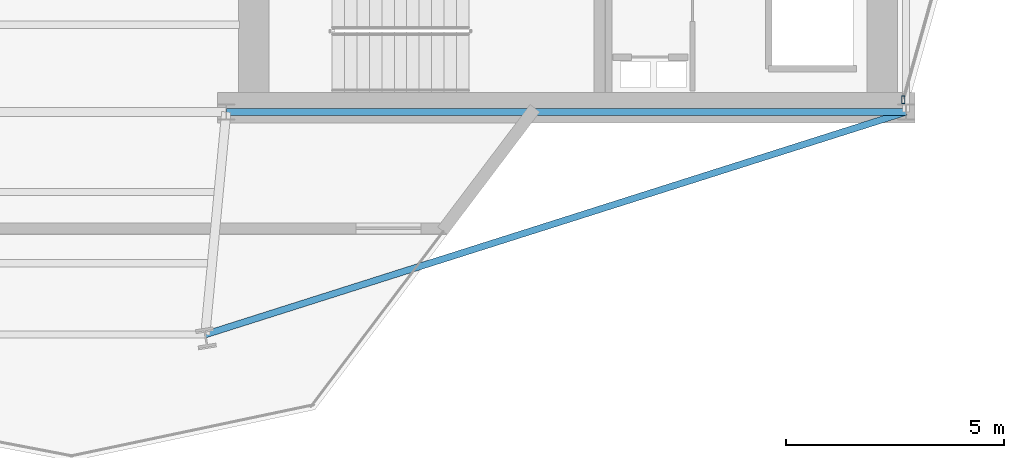
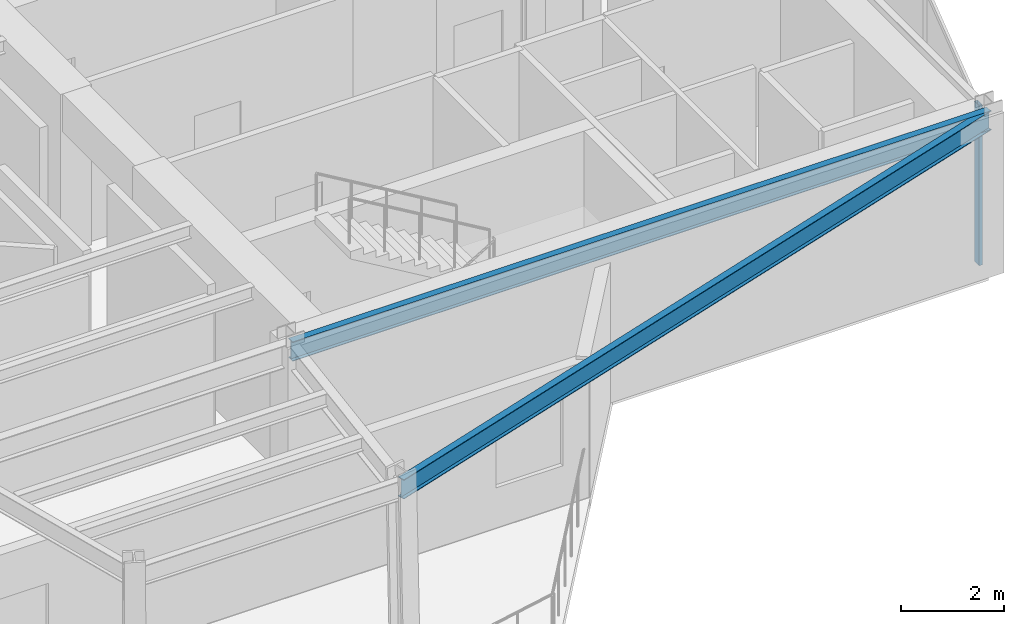
# One storey, part 10 of 21: 2 beams, 1 member, 1 element without a shape of its own.
"""IFC4 building model written with IfcOpenShell, lengths in metres."""

from ifc_helpers import new_model, si_unit, direction, frame, origin, origin_2d, place, context, subcontext, project, spatial, hollow_rectangle, i_section, extrude, material, layer, layer_set, material_profile, profile_set, type_object, element, aggregate, save


model = new_model("IFC4")

# Units and contexts
model_context = context("Model", 3, precision=1e-05, world=origin(), true_north=direction((0.0, 1.0)))
body_context = subcontext(model_context, "Body", "Model", "MODEL_VIEW")
ifc_project = project(units=[si_unit("LENGTHUNIT", "METRE"), si_unit("AREAUNIT", "SQUARE_METRE"), si_unit("VOLUMEUNIT", "CUBIC_METRE"), si_unit("PLANEANGLEUNIT", "RADIAN"), si_unit("MASSUNIT", "GRAM", prefix="KILO")], contexts=[model_context])

# Site, building, storey
site_placement = place(None, origin())
site = spatial("IfcSite", under=ifc_project, at=site_placement, CompositionType="ELEMENT")
building_placement = place(site_placement, origin())
building = spatial("IfcBuilding", under=site, at=building_placement, Name="Veymaron Broadcast Tower", CompositionType="ELEMENT")
storey_placement = place(building_placement, frame((0.0, 0.0, 240.449951171875)))
storey = spatial("IfcBuildingStorey", under=building, at=storey_placement, Name="L56", CompositionType="ELEMENT", Elevation=240.449951171875)

# Beams
ifc_material_1 = material(Name="Structural steel ASTM A992 Gr 50", Category="steel")
ifc_material_profile_1 = material_profile(ifc_material_1, i_section(OverallWidth=0.154052734375, OverallDepth=0.458984375, WebThickness=0.009033203125, FlangeThickness=0.015380859375, at=origin_2d()), Name="W460X68")
ifc_profile_set_1 = profile_set([ifc_material_profile_1], Name="Structural steel ASTM A992 Gr 50")
beam_type = type_object("IfcBeamType", Name="BM-SP2", PredefinedType="SPANDREL", material=ifc_profile_set_1)
beam_1_placement = place(storey_placement, frame((39.0, 16.0, 3.560546875), z_axis=(1.0, 0.0, 0.0), x_axis=(0.0, 1.0, 0.0)))
element("IfcBeam", 1, at=beam_1_placement, inside=storey, type_object=beam_type, Name="L56 primary structural floor girder", PredefinedType="SPANDREL", context=body_context, shape_type="SweptSolid", body=[
    extrude(i_section(OverallWidth=0.154052734375, OverallDepth=0.458984375, WebThickness=0.009033203125, FlangeThickness=0.015380859375, at=origin_2d()), origin(), (0.0, 0.0, 1.0), 15.60009765625),
])
beam_2_placement = place(storey_placement, frame((54.60009765625, 16.0, 3.560546875), z_axis=(-0.953081470831, -0.302713907772, 0.0), x_axis=(0.302713907772, -0.953081470831, 0.0)))
element("IfcBeam", 2, at=beam_2_placement, inside=storey, type_object=beam_type, Name="L56 primary structural floor girder", PredefinedType="SPANDREL", context=body_context, shape_type="SweptSolid", body=[
    extrude(i_section(OverallWidth=0.154052734375, OverallDepth=0.458984375, WebThickness=0.009033203125, FlangeThickness=0.015380859375, at=origin_2d()), origin(), (0.0, 0.0, 1.0), 16.873779296875),
])

# Curtain wall, member
ifc_material_2 = material(Name="Anodised aluminium AA 6063-T6 and laminated low-E dark glass", Category="aluminium")
ifc_layer = layer(ifc_material_2, 0.179931640625)
ifc_layer_set = layer_set([ifc_layer], Name="Anodised aluminium AA 6063-T6 and laminated low-E dark glass")
curtain_wall_type = type_object("IfcCurtainWallType", Name="CW-SYS-05", PredefinedType="NOTDEFINED", material=ifc_layer_set)
curtain_wall_placement = place(storey_placement, origin())
curtain_wall = element("IfcCurtainWall", 3, at=curtain_wall_placement, inside=storey, type_object=curtain_wall_type, Name="L56 dark-glass curtain wall CW-L56-E4-1", PredefinedType="NOTDEFINED")
ifc_material_3 = material(Name="Anodised aluminium AA 6063-T6", Category="aluminium")
ifc_material_profile_2 = material_profile(ifc_material_3, hollow_rectangle(XDim=0.074951171875, YDim=0.179931640625, WallThickness=0.0048828125, at=origin_2d()), Name="AL180X75X5")
ifc_profile_set_2 = profile_set([ifc_material_profile_2], Name="Anodised aluminium AA 6063-T6")
member_type = type_object("IfcMemberType", Name="CW-MUL-02", PredefinedType="MULLION", material=ifc_profile_set_2)
member_placement = place(storey_placement, frame((54.533203125, 16.2802734375, 0.0), z_axis=(0.0, 0.0, 1.0), x_axis=(1.0, 0.0, 0.0)))
member = element("IfcMember", 4, at=member_placement, type_object=member_type, Name="CW-L56-E4-1 mullion 0", PredefinedType="MULLION", context=body_context, shape_type="SweptSolid", body=[
    extrude(hollow_rectangle(XDim=0.074951171875, YDim=0.179931640625, WallThickness=0.0048828125, at=origin_2d()), origin(), (0.0, 0.0, 1.0), 3.7900390625),
])
aggregate(curtain_wall, [member])

save(model, "model.ifc")
